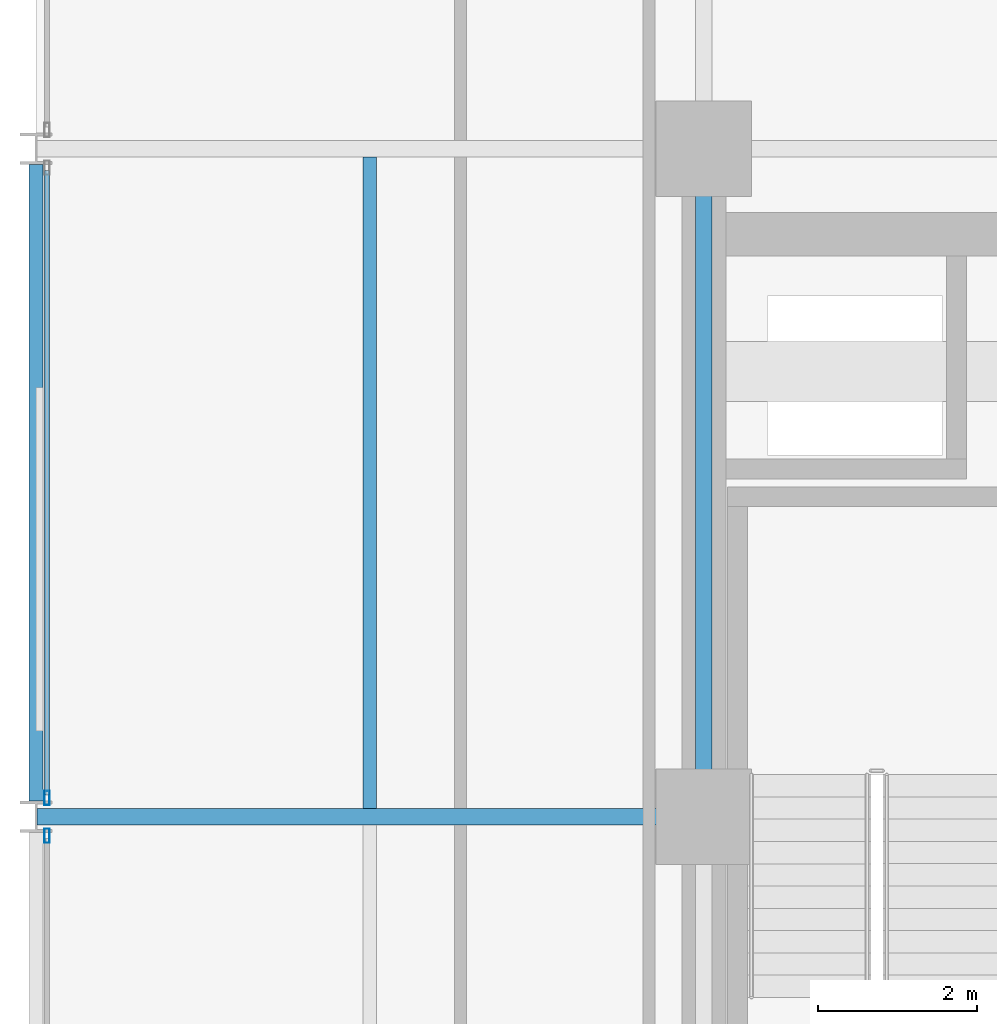
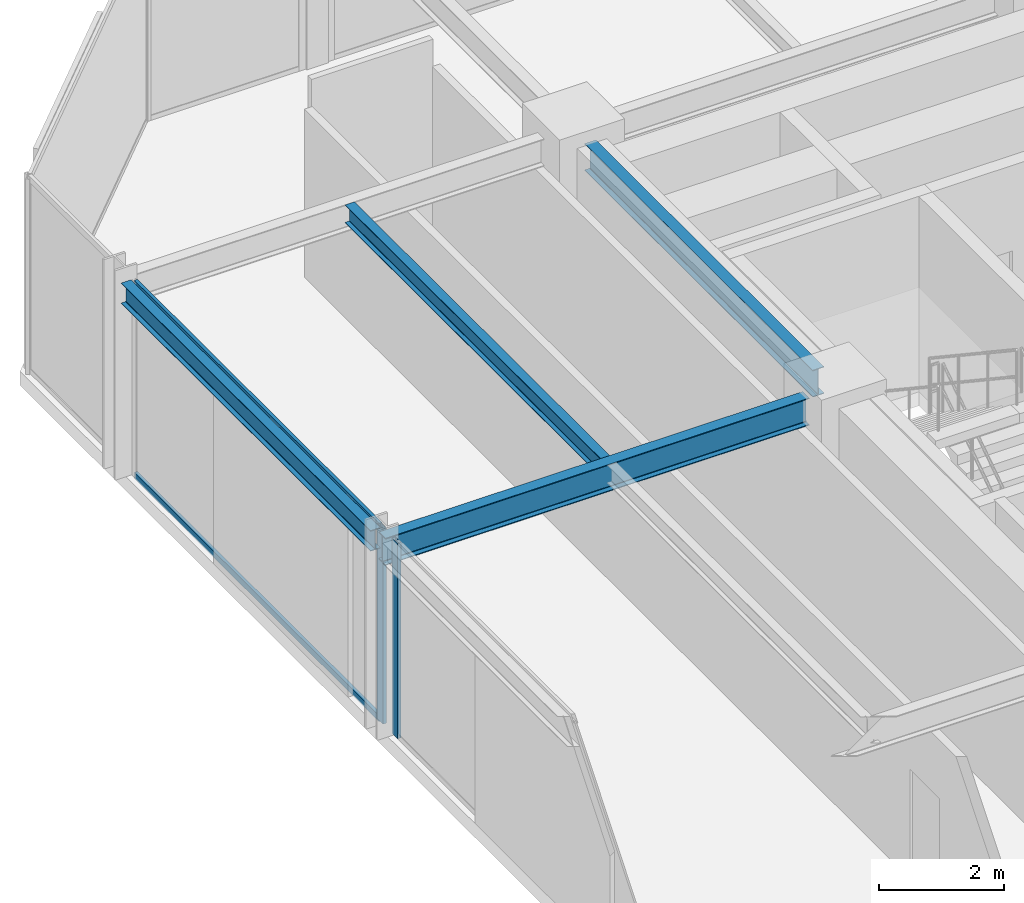
# One storey, part 23 of 38: 4 beams, 4 members, 2 elements without a shape of their own.
"""IFC4 building model written with IfcOpenShell, lengths in metres."""

from ifc_helpers import new_model, si_unit, direction, frame, origin, origin_2d, place, context, subcontext, project, spatial, hollow_rectangle, i_section, extrude, material, layer, layer_set, material_profile, profile_set, type_object, element, aggregate, save


model = new_model("IFC4")

# Units and contexts
model_context = context("Model", 3, precision=1e-05, world=origin(), true_north=direction((0.0, 1.0)))
body_context = subcontext(model_context, "Body", "Model", "MODEL_VIEW")
ifc_project = project(units=[si_unit("LENGTHUNIT", "METRE"), si_unit("AREAUNIT", "SQUARE_METRE"), si_unit("VOLUMEUNIT", "CUBIC_METRE"), si_unit("PLANEANGLEUNIT", "RADIAN"), si_unit("MASSUNIT", "GRAM", prefix="KILO")], contexts=[model_context])

# Site, building, storey
site_placement = place(None, origin())
site = spatial("IfcSite", under=ifc_project, at=site_placement, CompositionType="ELEMENT")
building_placement = place(site_placement, origin())
building = spatial("IfcBuilding", under=site, at=building_placement, Name="Nerrivon Quay Data Exchange", CompositionType="ELEMENT")
storey_placement = place(building_placement, frame((0.0, 0.0, 84.39990234375)))
storey = spatial("IfcBuildingStorey", under=building, at=storey_placement, Name="L19", CompositionType="ELEMENT", Elevation=84.39990234375)

# Beams
ifc_material_1 = material(Name="Steel Grade 350", Category="steel")
ifc_material_profile_1 = material_profile(ifc_material_1, i_section(OverallWidth=0.208984375, OverallDepth=0.532958984375, WebThickness=0.01025390625, FlangeThickness=0.015625, FilletRadius=0.013916015625, at=origin_2d()), Name="530UB92.4")
ifc_profile_set_1 = profile_set([ifc_material_profile_1], Name="Steel Grade 350")
beam_type_1 = type_object("IfcBeamType", Name="BM-G3-530UB92", PredefinedType="BEAM", material=ifc_profile_set_1)
beam_1_placement = place(storey_placement, frame((0.012451171875, 33.60009765625, 3.55859375), z_axis=(1.0, 0.0, 0.0), x_axis=(0.0, 1.0, 0.0)))
element("IfcBeam", 1, at=beam_1_placement, inside=storey, type_object=beam_type_1, Name="L19 EW Girder Y=33.6 (0.0..8.4)", PredefinedType="BEAM", context=body_context, shape_type="SweptSolid", body=[
    extrude(i_section(OverallWidth=0.208984375, OverallDepth=0.532958984375, WebThickness=0.01025390625, FlangeThickness=0.015625, FilletRadius=0.013916015625, at=origin_2d()), origin(), (0.0, 0.0, 1.0), 7.84765625),
])
ifc_material_profile_2 = material_profile(ifc_material_1, i_section(OverallWidth=0.208984375, OverallDepth=0.528076171875, WebThickness=0.009521484375, FlangeThickness=0.01318359375, FilletRadius=0.013916015625, at=origin_2d()), Name="530UB82.0")
ifc_profile_set_2 = profile_set([ifc_material_profile_2], Name="Steel Grade 350")
beam_type_2 = type_object("IfcBeamType", Name="BM-G4-530UB82", PredefinedType="BEAM", material=ifc_profile_set_2)
beam_2_placement = place(storey_placement, frame((8.39990234375, 34.139892578125, 3.56103515625), z_axis=(0.0, 1.0, 0.0), x_axis=(-1.0, 0.0, 0.0)))
element("IfcBeam", 2, at=beam_2_placement, inside=storey, type_object=beam_type_2, Name="L19 NS Girder X=8.4 (33.6..42.0)", PredefinedType="BEAM", context=body_context, shape_type="SweptSolid", body=[
    extrude(i_section(OverallWidth=0.208984375, OverallDepth=0.528076171875, WebThickness=0.009521484375, FlangeThickness=0.01318359375, FilletRadius=0.013916015625, at=origin_2d()), origin(), (0.0, 0.0, 1.0), 7.320068359375),
])
ifc_material_profile_3 = material_profile(ifc_material_1, i_section(OverallWidth=0.1708984375, OverallDepth=0.35595703125, WebThickness=0.00732421875, FlangeThickness=0.011474609375, FilletRadius=0.011474609375, at=origin_2d()), Name="360UB50.7")
ifc_profile_set_3 = profile_set([ifc_material_profile_3], Name="Steel Grade 350")
beam_type_3 = type_object("IfcBeamType", Name="BM-J4-360UB51", PredefinedType="JOIST", material=ifc_profile_set_3)
beam_3_placement = place(storey_placement, frame((4.199951171875, 33.70458984375, 3.647216796875), z_axis=(0.0, 1.0, 0.0), x_axis=(-1.0, 0.0, 0.0)))
element("IfcBeam", 3, at=beam_3_placement, inside=storey, type_object=beam_type_3, Name="L19 Secondary Joist X=4.2 (33.6..42.0)", PredefinedType="JOIST", context=body_context, shape_type="SweptSolid", body=[
    extrude(i_section(OverallWidth=0.1708984375, OverallDepth=0.35595703125, WebThickness=0.00732421875, FlangeThickness=0.011474609375, FilletRadius=0.011474609375, at=origin_2d()), origin(), (0.0, 0.0, 1.0), 8.19091796875),
])
ifc_material_profile_4 = material_profile(ifc_material_1, i_section(OverallWidth=0.177978515625, OverallDepth=0.403076171875, WebThickness=0.007568359375, FlangeThickness=0.010986328125, FilletRadius=0.011474609375, at=origin_2d()), Name="410UB53.7")
ifc_profile_set_4 = profile_set([ifc_material_profile_4], Name="Steel Grade 350")
beam_type_4 = type_object("IfcBeamType", Name="BM-SP2-410UB54", PredefinedType="SPANDREL", material=ifc_profile_set_4)
beam_4_placement = place(storey_placement, frame((0.0, 33.800048828125, 3.62353515625), z_axis=(0.0, 1.0, 0.0), x_axis=(-1.0, 0.0, 0.0)))
element("IfcBeam", 4, at=beam_4_placement, inside=storey, type_object=beam_type_4, Name="L19 NS Girder X=0.0 (33.6..42.0)", PredefinedType="SPANDREL", context=body_context, shape_type="SweptSolid", body=[
    extrude(i_section(OverallWidth=0.177978515625, OverallDepth=0.403076171875, WebThickness=0.007568359375, FlangeThickness=0.010986328125, FilletRadius=0.011474609375, at=origin_2d()), origin(), (0.0, 0.0, 1.0), 8.0),
])

# Curtain wall, member
ifc_material_2 = material(Name="Anodised aluminium 6063-T6", Category="aluminium")
ifc_layer = layer(ifc_material_2, 0.2099609375)
ifc_layer_set = layer_set([ifc_layer], Name="Anodised aluminium 6063-T6")
curtain_wall_type = type_object("IfcCurtainWallType", Name="CW-SYS-02", PredefinedType="NOTDEFINED", material=ifc_layer_set)
curtain_wall_1_placement = place(storey_placement, origin())
curtain_wall_1 = element("IfcCurtainWall", 5, at=curtain_wall_1_placement, inside=storey, type_object=curtain_wall_type, Name="L19 Unitised Curtain Wall 20", PredefinedType="NOTDEFINED")
ifc_material_profile_5 = material_profile(ifc_material_2, hollow_rectangle(XDim=0.06494140625, YDim=0.179931640625, WallThickness=0.00341796875, at=origin_2d()), Name="ALU-MULL-180x65")
ifc_profile_set_5 = profile_set([ifc_material_profile_5], Name="Anodised aluminium 6063-T6")
member_type_1 = type_object("IfcMemberType", Name="CWM-180x65", PredefinedType="MULLION", material=ifc_profile_set_5)
member_1_placement = place(storey_placement, frame((0.139892578125, 33.362548828125, 0.0), z_axis=(0.0, 0.0, 1.0), x_axis=(-1.0, 0.0, 0.0)))
member_1 = element("IfcMember", 6, at=member_1_placement, type_object=member_type_1, Name="CW02 mullion 2", PredefinedType="MULLION", context=body_context, shape_type="SweptSolid", body=[
    extrude(hollow_rectangle(XDim=0.06494140625, YDim=0.179931640625, WallThickness=0.00341796875, at=origin_2d()), origin(), (0.0, 0.0, 1.0), 3.8251953125),
])
aggregate(curtain_wall_1, [member_1])

# Curtain wall, members
curtain_wall_2_placement = place(storey_placement, origin())
curtain_wall_2 = element("IfcCurtainWall", 7, at=curtain_wall_2_placement, inside=storey, type_object=curtain_wall_type, Name="L19 Unitised Curtain Wall 21", PredefinedType="NOTDEFINED")
member_2_placement = place(storey_placement, frame((0.139892578125, 33.83740234375, 0.0), z_axis=(0.0, 0.0, 1.0), x_axis=(-1.0, 0.0, 0.0)))
member_2 = element("IfcMember", 8, at=member_2_placement, type_object=member_type_1, Name="CW02 mullion 1", PredefinedType="MULLION", context=body_context, shape_type="SweptSolid", body=[
    extrude(hollow_rectangle(XDim=0.06494140625, YDim=0.179931640625, WallThickness=0.00341796875, at=origin_2d()), origin(), (0.0, 0.0, 1.0), 3.8251953125),
])
ifc_material_profile_6 = material_profile(ifc_material_2, hollow_rectangle(XDim=0.06005859375, YDim=0.1201171875, WallThickness=0.003173828125, at=origin_2d()), Name="ALU-TRAN-120x60")
ifc_profile_set_6 = profile_set([ifc_material_profile_6], Name="Anodised aluminium 6063-T6")
member_type_2 = type_object("IfcMemberType", Name="CWT-120x60", PredefinedType="USERDEFINED", material=ifc_profile_set_6)
member_3_placement = place(storey_placement, frame((0.139892578125, 33.875, 0.03271484375), z_axis=(0.0, 1.0, 0.0), x_axis=(-1.0, 0.0, 0.0)))
member_3 = element("IfcMember", 9, at=member_3_placement, type_object=member_type_2, Name="CW02 transom 1.1", ObjectType="TRANSOM", PredefinedType="USERDEFINED", context=body_context, shape_type="SweptSolid", body=[
    extrude(hollow_rectangle(XDim=0.06005859375, YDim=0.1201171875, WallThickness=0.003173828125, at=origin_2d()), origin(), (0.0, 0.0, 1.0), 7.85009765625),
])
member_4_placement = place(storey_placement, frame((0.139892578125, 33.875, 3.79248046875), z_axis=(0.0, 1.0, 0.0), x_axis=(-1.0, 0.0, 0.0)))
member_4 = element("IfcMember", 10, at=member_4_placement, type_object=member_type_2, Name="CW02 transom 1.2", ObjectType="TRANSOM", PredefinedType="USERDEFINED", context=body_context, shape_type="SweptSolid", body=[
    extrude(hollow_rectangle(XDim=0.06005859375, YDim=0.1201171875, WallThickness=0.003173828125, at=origin_2d()), origin(), (0.0, 0.0, 1.0), 7.85009765625),
])
aggregate(curtain_wall_2, [member_2, member_3, member_4])

save(model, "model.ifc")
